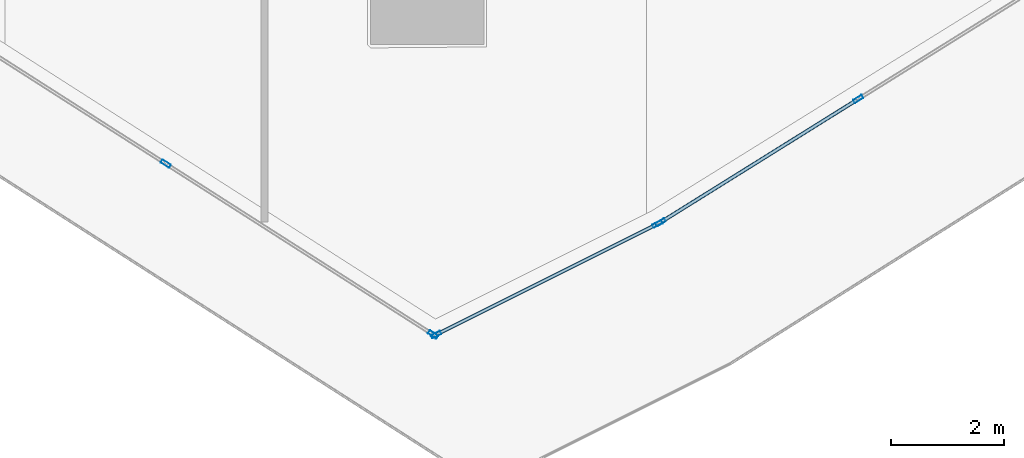
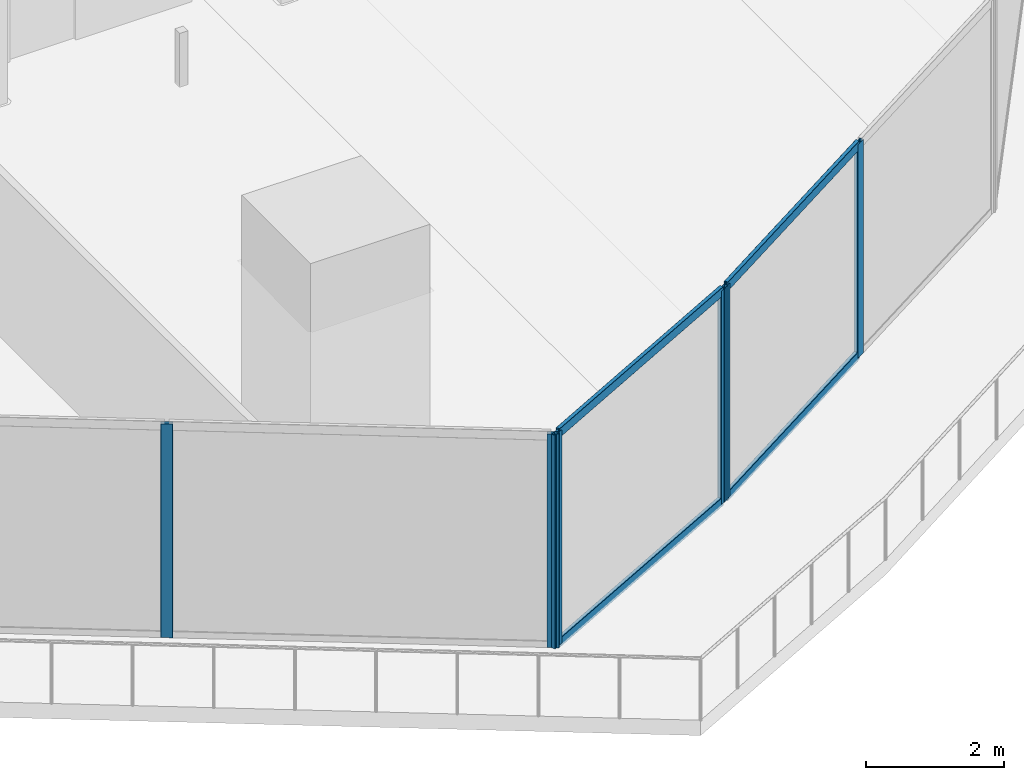
# One storey, part 9 of 36: 10 members, 3 elements without a shape of their own.
"""IFC4 building model written with IfcOpenShell, lengths in metres."""

import ifcopenshell
import ifcopenshell.guid

model = None  # the IFC model being written
_history = None  # IfcOwnerHistory: only IFC2X3 demands one
_inside = {}  # id of a spatial element -> (the spatial element, [elements in it])
_under = {}  # id of a project, library or spatial element -> (it, [spatial elements below it])
_declared = {}  # id of a project -> (the project, [libraries it declares])
_typed = {}  # id of a type object -> (the type object, [elements of that type])
_made_of = {}  # id of a material, layer set ... -> (it, [elements and type objects made of it])


def new_model(schema):
    """Start an empty IFC model of exactly this schema.

    Asked for "IFC4X3", IfcOpenShell would pick the latest addendum, in which some entities
    have other attributes; the version numbers below select the first issue.
    IFC2X3 requires an IfcOwnerHistory on every rooted entity: one is made here for all.
    """
    global model, _history
    if schema == "IFC4X3":
        model = ifcopenshell.file(schema_version=(4, 3, 0, 0))
    else:
        model = ifcopenshell.file(schema=schema)
    _inside.clear()
    _under.clear()
    _declared.clear()
    _typed.clear()
    _made_of.clear()
    _history = None
    if model.schema == "IFC2X3":
        org = make("IfcOrganization", Name="unknown")
        user = make(
            "IfcPersonAndOrganization",
            ThePerson=make("IfcPerson", FamilyName="unknown"),
            TheOrganization=org,
        )
        app = make(
            "IfcApplication",
            ApplicationDeveloper=org,
            Version="unknown",
            ApplicationFullName="unknown",
            ApplicationIdentifier="unknown",
        )
        _history = make(
            "IfcOwnerHistory",
            OwningUser=user,
            OwningApplication=app,
            ChangeAction="ADDED",
            CreationDate=0,
        )
    return model


def make(cls, **values):
    """One entity of the class cls with the attributes given. An attribute that is None is left unset."""
    return model.create_entity(
        cls, **{name: value for name, value in values.items() if value is not None}
    )


def rooted(cls, **values):
    """An entity with a GlobalId (a new one), such as an element, a storey or a relation."""
    return make(cls, GlobalId=ifcopenshell.guid.new(), OwnerHistory=_history, **values)


def si_unit(unit_type, name, prefix=None):
    """IfcSIUnit, for example si_unit("LENGTHUNIT", "METRE", prefix="MILLI")."""
    return make("IfcSIUnit", UnitType=unit_type, Prefix=prefix, Name=name)


def assignment(units):
    """IfcUnitAssignment: the units of a project."""
    return None if units is None else make("IfcUnitAssignment", Units=units)


def point(xyz):
    """IfcCartesianPoint."""
    return None if xyz is None else make("IfcCartesianPoint", Coordinates=xyz)


def direction(xyz):
    """IfcDirection."""
    return None if xyz is None else make("IfcDirection", DirectionRatios=xyz)


def frame(location, z_axis=None, x_axis=None):
    """IfcAxis2Placement3D, a coordinate frame: its origin and axes. An axis left out is left unset."""
    return make(
        "IfcAxis2Placement3D",
        Location=point(location),
        Axis=direction(z_axis),
        RefDirection=direction(x_axis),
    )


def frame_2d(location, x_axis=None):
    """IfcAxis2Placement2D, a coordinate frame in the plane: its origin and x axis."""
    return make(
        "IfcAxis2Placement2D", Location=point(location), RefDirection=direction(x_axis)
    )


def origin():
    """The frame at (0, 0, 0) with its axes left unset."""
    return frame((0.0, 0.0, 0.0))


def origin_2d():
    """The frame at (0, 0) in the plane with its x axis left unset."""
    return frame_2d((0.0, 0.0))


def place(relative_to, where):
    """IfcLocalPlacement: puts the frame where relative to a parent placement (None: the world)."""
    return make(
        "IfcLocalPlacement", PlacementRelTo=relative_to, RelativePlacement=where
    )


def context(
    kind, dimensions, precision=None, world=None, true_north=None, identifier=None
):
    """IfcGeometricRepresentationContext, for example the 3D "Model" context."""
    return make(
        "IfcGeometricRepresentationContext",
        ContextIdentifier=identifier,
        ContextType=kind,
        CoordinateSpaceDimension=dimensions,
        Precision=precision,
        WorldCoordinateSystem=world,
        TrueNorth=true_north,
    )


def subcontext(parent, identifier, kind, view, scale=None):
    """IfcGeometricRepresentationSubContext, for example "Body" below "Model"."""
    return make(
        "IfcGeometricRepresentationSubContext",
        ContextIdentifier=identifier,
        ContextType=kind,
        ParentContext=parent,
        TargetScale=scale,
        TargetView=view,
    )


def project(units=None, contexts=None):
    """IfcProject with its units and contexts."""
    return rooted(
        "IfcProject",
        Name="project",
        RepresentationContexts=contexts,
        UnitsInContext=assignment(units),
    )


def spatial(cls, under=None, at=None, **own):
    """A site, building, storey or space (cls), placed at a placement, below another one or the project."""
    s = rooted(cls, ObjectPlacement=at, **own)
    if under is not None:
        _under.setdefault(under.id(), (under, []))[1].append(s)
    return s


def profile(cls, at=None, kind="AREA", **sizes):
    """A parametric profile (cls). Its sizes go by their IFC names, for example OverallWidth=200.0."""
    return make(cls, ProfileType=kind, Position=at, **sizes)


def hollow_rectangle(**sizes):
    """IfcRectangleHollowProfileDef."""
    return profile("IfcRectangleHollowProfileDef", **sizes)


def extrude(swept, where, along, depth):
    """IfcExtrudedAreaSolid: the profile swept, set in the frame where, extruded along a direction by depth."""
    return make(
        "IfcExtrudedAreaSolid",
        SweptArea=swept,
        Position=where,
        ExtrudedDirection=direction(along),
        Depth=depth,
    )


def shape(context_of_items, identifier, shape_type, items):
    """IfcShapeRepresentation: the items that make up one representation, for example the "Body"."""
    return make(
        "IfcShapeRepresentation",
        ContextOfItems=context_of_items,
        RepresentationIdentifier=identifier,
        RepresentationType=shape_type,
        Items=items,
    )


def material(Name=None, Category=None):
    """IfcMaterial."""
    return make("IfcMaterial", Name=Name, Category=Category)


def layer(
    of_material, thickness, ventilated=None, Name=None, Category=None, Priority=None
):
    """IfcMaterialLayer: one layer of a wall or slab, of a material (None: an air gap)."""
    return make(
        "IfcMaterialLayer",
        Material=of_material,
        LayerThickness=thickness,
        IsVentilated=ventilated,
        Name=Name,
        Category=Category,
        Priority=Priority,
    )


def layer_set(layers, Name=None):
    """IfcMaterialLayerSet."""
    return make("IfcMaterialLayerSet", MaterialLayers=layers, LayerSetName=Name)


def material_profile(
    of_material, cross_section, Name=None, Category=None, Priority=None
):
    """IfcMaterialProfile: a cross section and its material."""
    return make(
        "IfcMaterialProfile",
        Name=Name,
        Material=of_material,
        Profile=cross_section,
        Priority=Priority,
        Category=Category,
    )


def profile_set(profiles, Name=None, composite=None):
    """IfcMaterialProfileSet."""
    return make(
        "IfcMaterialProfileSet",
        Name=Name,
        MaterialProfiles=profiles,
        CompositeProfile=composite,
    )


def made_of(thing, what):
    """Note that an element or type object is made of a material, layer set ...; save() writes the relation."""
    if what is not None:
        _made_of.setdefault(what.id(), (what, []))[1].append(thing)
    return thing


def type_object(cls, material=None, **own):
    """A type object (cls), such as IfcWallType, which elements share."""
    return made_of(rooted(cls, **own), material)


def element(
    cls,
    number,
    at=None,
    inside=None,
    cuts=None,
    type_object=None,
    material=None,
    context=None,
    identifier="Body",
    shape_type=None,
    held_by="IfcProductDefinitionShape",
    body=None,
    shapes=None,
    **own,
):
    """One element of the class cls, such as IfcWall. Its Tag is "e" and its number.

    at: its placement. inside: the storey or other place that contains it. cuts: it is an
    opening in that element (IfcRelVoidsElement). A single representation is given by context,
    identifier, shape_type and body (its items); several are given by shapes. held_by: the class
    of the entity that holds the representations. save() writes the other relations.
    """
    e = rooted(cls, Tag="e%d" % number, ObjectPlacement=at, **own)
    if body is not None:
        shapes = [shape(context, identifier, shape_type, body)]
    if shapes is not None:
        e.Representation = make(held_by, Representations=shapes)
    if inside is not None:
        _inside.setdefault(inside.id(), (inside, []))[1].append(e)
    if cuts is not None:
        rooted(
            "IfcRelVoidsElement", RelatingBuildingElement=cuts, RelatedOpeningElement=e
        )
    if type_object is not None:
        _typed.setdefault(type_object.id(), (type_object, []))[1].append(e)
    return made_of(e, material)


def aggregate(whole, parts):
    """IfcRelAggregates: a whole, such as a stair, and the parts it consists of."""
    return rooted("IfcRelAggregates", RelatingObject=whole, RelatedObjects=parts)


def save(model, path):
    """Write the relations noted so far, then the file.

    IfcRelAggregates (storeys below a building ...), IfcRelContainedInSpatialStructure (elements
    in a storey), IfcRelDefinesByType, IfcRelAssociatesMaterial and IfcRelDeclares: one each for
    every whole, place, type object, material and project.
    """
    for whole, parts in _under.values():
        aggregate(whole, parts)
    for where, things in _inside.values():
        rooted(
            "IfcRelContainedInSpatialStructure",
            RelatedElements=things,
            RelatingStructure=where,
        )
    for kind, things in _typed.values():
        rooted("IfcRelDefinesByType", RelatedObjects=things, RelatingType=kind)
    for what, things in _made_of.values():
        rooted("IfcRelAssociatesMaterial", RelatedObjects=things, RelatingMaterial=what)
    for by, libraries in _declared.values():
        rooted("IfcRelDeclares", RelatingContext=by, RelatedDefinitions=libraries)
    model.write(path)


model = new_model("IFC4")

# Units and contexts
model_context = context("Model", 3, precision=1e-05, world=origin(), true_north=direction((0.0, 1.0)))
body_context = subcontext(model_context, "Body", "Model", "MODEL_VIEW")
ifc_project = project(units=[si_unit("LENGTHUNIT", "METRE"), si_unit("AREAUNIT", "SQUARE_METRE"), si_unit("VOLUMEUNIT", "CUBIC_METRE"), si_unit("PLANEANGLEUNIT", "RADIAN"), si_unit("MASSUNIT", "GRAM", prefix="KILO")], contexts=[model_context])

# Site, building, storey
site_placement = place(None, origin())
site = spatial("IfcSite", under=ifc_project, at=site_placement, CompositionType="ELEMENT")
building_placement = place(site_placement, origin())
building = spatial("IfcBuilding", under=site, at=building_placement, Name="Qorvath Tower", CompositionType="ELEMENT")
storey_placement = place(building_placement, frame((0.0, 0.0, 205.050048828125)))
storey = spatial("IfcBuildingStorey", under=building, at=storey_placement, Name="L47", CompositionType="ELEMENT", Elevation=205.050048828125)

# Curtain wall, members
ifc_material_1 = material(Name="Anodised aluminium and triple low-E glass", Category="aluminium")
ifc_layer = layer(ifc_material_1, 0.179931640625)
ifc_layer_set = layer_set([ifc_layer], Name="CW-SYS-3")
curtain_wall_type = type_object("IfcCurtainWallType", Name="CW-SYS-3", PredefinedType="NOTDEFINED", material=ifc_layer_set)
curtain_wall_1_placement = place(storey_placement, origin())
curtain_wall_1 = element("IfcCurtainWall", 1, at=curtain_wall_1_placement, inside=storey, type_object=curtain_wall_type, Name="Curtain Wall CW-3 CW-T-L47-2.1", PredefinedType="NOTDEFINED")
ifc_material_2 = material(Name="Anodised aluminium 6063-T6", Category="aluminium")
ifc_material_profile_1 = material_profile(ifc_material_2, hollow_rectangle(XDim=0.06494140625, YDim=0.179931640625, WallThickness=0.00341796875, InnerFilletRadius=0.00341796875, OuterFilletRadius=0.007080078125, at=origin_2d()), Name="CWM 180x65")
ifc_profile_set_1 = profile_set([ifc_material_profile_1], Name="Anodised aluminium 6063-T6")
member_type_1 = type_object("IfcMemberType", Name="CWM-180", PredefinedType="MULLION", material=ifc_profile_set_1)
member_1_placement = place(storey_placement, frame((-21.495361328125, -24.733642578125, 0.0), z_axis=(0.0, 0.0, 1.0), x_axis=(0.538533623725, 0.842604020948, 0.0)))
member_1 = element("IfcMember", 2, at=member_1_placement, type_object=member_type_1, Name="CW-3 mullion 8", PredefinedType="MULLION", context=body_context, shape_type="SweptSolid", body=[
    extrude(hollow_rectangle(XDim=0.06494140625, YDim=0.179931640625, WallThickness=0.00341796875, InnerFilletRadius=0.00341796875, OuterFilletRadius=0.007080078125, at=origin_2d()), origin(), (0.0, 0.0, 1.0), 3.780029296875),
])
member_2_placement = place(storey_placement, frame((-16.770263671875, -27.75341796875, 0.0), z_axis=(0.0, 0.0, 1.0), x_axis=(0.538533623725, 0.842604020948, 0.0)))
member_2 = element("IfcMember", 3, at=member_2_placement, type_object=member_type_1, Name="CW-3 mullion 9", PredefinedType="MULLION", context=body_context, shape_type="SweptSolid", body=[
    extrude(hollow_rectangle(XDim=0.06494140625, YDim=0.179931640625, WallThickness=0.00341796875, InnerFilletRadius=0.00341796875, OuterFilletRadius=0.007080078125, at=origin_2d()), origin(), (0.0, 0.0, 1.0), 3.780029296875),
])
aggregate(curtain_wall_1, [member_1, member_2])

curtain_wall_2_placement = place(storey_placement, origin())
curtain_wall_2 = element("IfcCurtainWall", 4, at=curtain_wall_2_placement, inside=storey, type_object=curtain_wall_type, Name="Curtain Wall CW-3 CW-T-L47-3.1", PredefinedType="NOTDEFINED")
member_3_placement = place(storey_placement, frame((-16.7138671875, -27.75634765625, 0.0), z_axis=(0.0, 0.0, 1.0), x_axis=(-0.44720457744, 0.894431699973, 0.0)))
member_3 = element("IfcMember", 5, at=member_3_placement, type_object=member_type_1, Name="CW-3 mullion 1", PredefinedType="MULLION", context=body_context, shape_type="SweptSolid", body=[
    extrude(hollow_rectangle(XDim=0.06494140625, YDim=0.179931640625, WallThickness=0.00341796875, InnerFilletRadius=0.00341796875, OuterFilletRadius=0.007080078125, at=origin_2d()), origin(), (0.0, 0.0, 1.0), 3.780029296875),
])
member_4_placement = place(storey_placement, frame((-12.8046875, -25.802001953125, 0.0), z_axis=(0.0, 0.0, 1.0), x_axis=(-0.44720457744, 0.894431699973, 0.0)))
member_4 = element("IfcMember", 6, at=member_4_placement, type_object=member_type_1, Name="CW-3 mullion 2", PredefinedType="MULLION", context=body_context, shape_type="SweptSolid", body=[
    extrude(hollow_rectangle(XDim=0.06494140625, YDim=0.179931640625, WallThickness=0.00341796875, InnerFilletRadius=0.00341796875, OuterFilletRadius=0.007080078125, at=origin_2d()), origin(), (0.0, 0.0, 1.0), 3.780029296875),
])

curtain_wall_3_placement = place(storey_placement, origin())
curtain_wall_3 = element("IfcCurtainWall", 7, at=curtain_wall_3_placement, inside=storey, type_object=curtain_wall_type, Name="Curtain Wall CW-3 CW-T-L47-4.1", PredefinedType="NOTDEFINED")
member_5_placement = place(storey_placement, frame((-12.748046875, -25.770263671875, 0.0), z_axis=(0.0, 0.0, 1.0), x_axis=(-0.529206179006, 0.848493264618, 0.0)))
member_5 = element("IfcMember", 8, at=member_5_placement, type_object=member_type_1, Name="CW-3 mullion 1", PredefinedType="MULLION", context=body_context, shape_type="SweptSolid", body=[
    extrude(hollow_rectangle(XDim=0.06494140625, YDim=0.179931640625, WallThickness=0.00341796875, InnerFilletRadius=0.00341796875, OuterFilletRadius=0.007080078125, at=origin_2d()), origin(), (0.0, 0.0, 1.0), 3.780029296875),
])
member_6_placement = place(storey_placement, frame((-9.25341796875, -23.590576171875, 0.0), z_axis=(0.0, 0.0, 1.0), x_axis=(-0.529206179006, 0.848493264618, 0.0)))
member_6 = element("IfcMember", 9, at=member_6_placement, type_object=member_type_1, Name="CW-3 mullion 2", PredefinedType="MULLION", context=body_context, shape_type="SweptSolid", body=[
    extrude(hollow_rectangle(XDim=0.06494140625, YDim=0.179931640625, WallThickness=0.00341796875, InnerFilletRadius=0.00341796875, OuterFilletRadius=0.007080078125, at=origin_2d()), origin(), (0.0, 0.0, 1.0), 3.780029296875),
])

# Member
ifc_material_3 = material(Name="Anodised aluminium 6063-T6", Category="aluminium")
ifc_material_profile_2 = material_profile(ifc_material_3, hollow_rectangle(XDim=0.06494140625, YDim=0.159912109375, WallThickness=0.00341796875, InnerFilletRadius=0.00341796875, OuterFilletRadius=0.007080078125, at=origin_2d()), Name="CWT 160x65")
ifc_profile_set_2 = profile_set([ifc_material_profile_2], Name="Anodised aluminium 6063-T6")
member_type_2 = type_object("IfcMemberType", Name="CWT-160", PredefinedType="USERDEFINED", material=ifc_profile_set_2)
member_7_placement = place(storey_placement, frame((-16.684814453125, -27.741943359375, 0.032470703125), z_axis=(0.894427191, 0.4472135955, 0.0), x_axis=(-0.4472135955, 0.894427191, 0.0)))
member_7 = element("IfcMember", 10, at=member_7_placement, type_object=member_type_2, Name="CW-3 transom 1.1", ObjectType="TRANSOM", PredefinedType="USERDEFINED", context=body_context, shape_type="SweptSolid", body=[
    extrude(hollow_rectangle(XDim=0.06494140625, YDim=0.159912109375, WallThickness=0.00341796875, InnerFilletRadius=0.00341796875, OuterFilletRadius=0.007080078125, at=origin_2d()), origin(), (0.0, 0.0, 1.0), 4.3056640625),
])

member_8_placement = place(storey_placement, frame((-16.684814453125, -27.741943359375, 3.74755859375), z_axis=(0.894427191, 0.4472135955, 0.0), x_axis=(-0.4472135955, 0.894427191, 0.0)))
member_8 = element("IfcMember", 11, at=member_8_placement, type_object=member_type_2, Name="CW-3 transom 1.2", ObjectType="TRANSOM", PredefinedType="USERDEFINED", context=body_context, shape_type="SweptSolid", body=[
    extrude(hollow_rectangle(XDim=0.06494140625, YDim=0.159912109375, WallThickness=0.00341796875, InnerFilletRadius=0.00341796875, OuterFilletRadius=0.007080078125, at=origin_2d()), origin(), (0.0, 0.0, 1.0), 4.3056640625),
])

aggregate(curtain_wall_2, [member_3, member_4, member_7, member_8])

member_9_placement = place(storey_placement, frame((-12.720458984375, -25.7529296875, 0.032470703125), z_axis=(0.848512223459, 0.529175780474, 0.0), x_axis=(-0.529175780474, 0.848512223459, 0.0)))
member_9 = element("IfcMember", 12, at=member_9_placement, type_object=member_type_2, Name="CW-3 transom 1.1", ObjectType="TRANSOM", PredefinedType="USERDEFINED", context=body_context, shape_type="SweptSolid", body=[
    extrude(hollow_rectangle(XDim=0.06494140625, YDim=0.159912109375, WallThickness=0.00341796875, InnerFilletRadius=0.00341796875, OuterFilletRadius=0.007080078125, at=origin_2d()), origin(), (0.0, 0.0, 1.0), 4.053466796875),
])

member_10_placement = place(storey_placement, frame((-12.720458984375, -25.7529296875, 3.74755859375), z_axis=(0.848512223459, 0.529175780474, 0.0), x_axis=(-0.529175780474, 0.848512223459, 0.0)))
member_10 = element("IfcMember", 13, at=member_10_placement, type_object=member_type_2, Name="CW-3 transom 1.2", ObjectType="TRANSOM", PredefinedType="USERDEFINED", context=body_context, shape_type="SweptSolid", body=[
    extrude(hollow_rectangle(XDim=0.06494140625, YDim=0.159912109375, WallThickness=0.00341796875, InnerFilletRadius=0.00341796875, OuterFilletRadius=0.007080078125, at=origin_2d()), origin(), (0.0, 0.0, 1.0), 4.053466796875),
])

aggregate(curtain_wall_3, [member_5, member_6, member_9, member_10])

save(model, "model.ifc")
